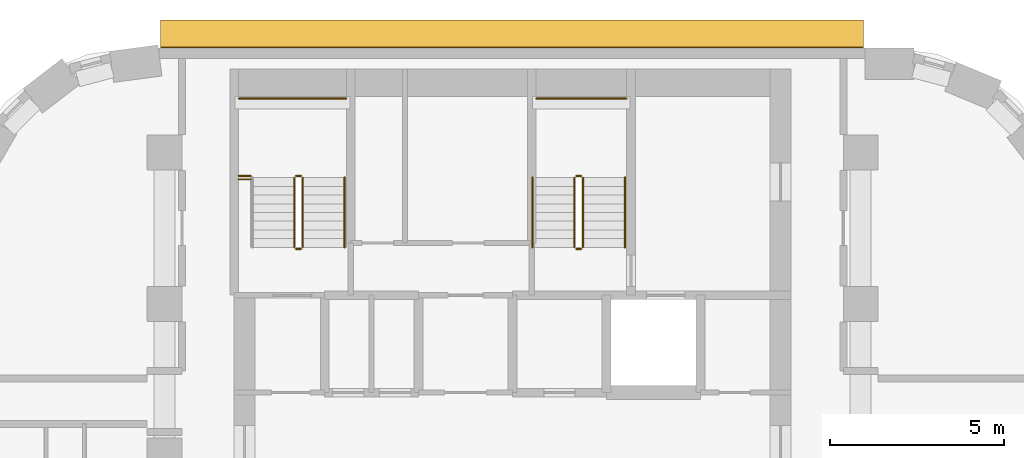
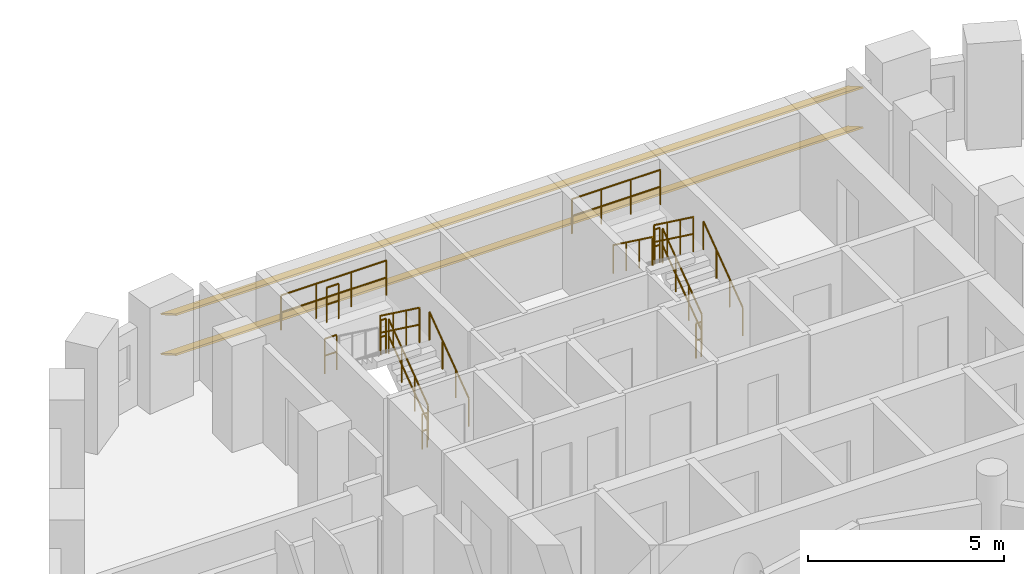
# One storey, part 14 of 14: 15 railings, 2 shading devices.
"""IFC4 building model written with IfcOpenShell, lengths in metres."""

from ifc_helpers import new_model, si_unit, direction, frame, origin, origin_2d, place, context, subcontext, project, spatial, rectangle, circle, extrude, material, material_profile, profile_set, type_object, element, save


model = new_model("IFC4")

# Units and contexts
model_context = context("Model", 3, precision=1e-05, world=origin(), true_north=direction((0.0, 1.0)))
body_context = subcontext(model_context, "Body", "Model", "MODEL_VIEW")
ifc_project = project(units=[si_unit("LENGTHUNIT", "METRE"), si_unit("AREAUNIT", "SQUARE_METRE"), si_unit("VOLUMEUNIT", "CUBIC_METRE"), si_unit("PLANEANGLEUNIT", "RADIAN"), si_unit("MASSUNIT", "GRAM", prefix="KILO")], contexts=[model_context])

# Site, building, storey
site_placement = place(None, origin())
site = spatial("IfcSite", under=ifc_project, at=site_placement, CompositionType="ELEMENT")
building_placement = place(site_placement, origin())
building = spatial("IfcBuilding", under=site, at=building_placement, Name="Nakaniwa Court", CompositionType="ELEMENT")
storey_placement = place(building_placement, frame((0.0, 0.0, 107.39990234375)))
storey = spatial("IfcBuildingStorey", under=building, at=storey_placement, Name="L28", CompositionType="ELEMENT", Elevation=107.39990234375)

# Shading devices
ifc_material_1 = material(Name="Perforated charcoal ceramic louvre blade")
ifc_material_profile = material_profile(ifc_material_1, rectangle(XDim=0.89990234375, YDim=0.050048828125, at=origin_2d()), Name="Perforated ceramic louvre blade")
ifc_profile_set = profile_set([ifc_material_profile], Name="Perforated charcoal ceramic louvre blade")
shading_device_type = type_object("IfcShadingDeviceType", Name="Perforated ceramic louvre blade", PredefinedType="JALOUSIE", material=ifc_profile_set)
for number, where, z_axis, x_axis, name in (
    (1, (90.07861328125, 104.402099609375, 0.550048828125), (-1.0, 0.0, 0.0), (0.0, -0.866025403784, 0.5), "L28 perforated ceramic louvre blade w08 1"),
    (2, (90.07861328125, 104.402099609375, 1.79345703125), (-1.0, 0.0, 0.0), (0.0, -0.866025403784, 0.5), "L28 perforated ceramic louvre blade w08 2"),
):
    element("IfcShadingDevice", number, at=place(storey_placement, frame(where, z_axis=z_axis, x_axis=x_axis)), inside=storey, type_object=shading_device_type, Name=name, PredefinedType="JALOUSIE", context=body_context, shape_type="SweptSolid", body=[
        extrude(rectangle(XDim=0.89990234375, YDim=0.050048828125, at=origin_2d()), origin(), (0.0, 0.0, 1.0), 20.19091796875),
    ])

# Railings
ifc_material_2 = material(Name="Black powder coated steel guard", Category="steel")
railing_type_1 = type_object("IfcRailingType", Name="Stair guard 1100", PredefinedType="GUARDRAIL", material=ifc_material_2)
railing_1_placement = place(storey_placement, frame((73.97509765625, 98.27490234375, 0.183349609375)))
element("IfcRailing", 3, at=railing_1_placement, inside=storey, type_object=railing_type_1, Name="L28 ST1 stair guard 1", PredefinedType="GUARDRAIL", context=body_context, shape_type="SweptSolid", body=[
    extrude(circle(Radius=0.02392578125, at=origin_2d()), frame((0.0, 0.0, 1.076171875), z_axis=(0.0, 0.806379959628, 0.591397802423), x_axis=(-1.0, 0.0, 0.0)), (0.0, 0.0, 1.0), 2.480224609375),
    extrude(circle(Radius=0.02392578125, at=origin_2d()), frame((0.0, 0.0, 0.550048828125), z_axis=(0.0, 0.806379959628, 0.591397802423), x_axis=(-1.0, 0.0, 0.0)), (0.0, 0.0, 1.0), 2.480224609375),
    extrude(circle(Radius=0.02099609375, at=origin_2d()), origin(), (0.0, 0.0, 1.0), 1.052001953125),
    extrude(circle(Radius=0.02099609375, at=origin_2d()), frame((0.0, 0.666748046875, 0.489013671875)), (0.0, 0.0, 1.0), 1.052001953125),
    extrude(circle(Radius=0.02099609375, at=origin_2d()), frame((0.0, 1.333251953125, 0.977783203125)), (0.0, 0.0, 1.0), 1.052001953125),
    extrude(circle(Radius=0.02099609375, at=origin_2d()), frame((0.0, 2.0, 1.466796875)), (0.0, 0.0, 1.0), 1.052001953125),
])
railing_2_placement = place(storey_placement, frame((73.925048828125, 100.324951171875, 1.650146484375)))
element("IfcRailing", 4, at=railing_2_placement, inside=storey, type_object=railing_type_1, Name="L28 ST1 stair guard 2", PredefinedType="GUARDRAIL", context=body_context, shape_type="SweptSolid", body=[
    extrude(circle(Radius=0.02392578125, at=origin_2d()), frame((0.0, 0.0, 1.076171875), z_axis=(-1.0, 0.0, 0.0), x_axis=(0.0, -1.0, 0.0)), (0.0, 0.0, 1.0), 0.150146484375),
    extrude(circle(Radius=0.02392578125, at=origin_2d()), frame((0.0, 0.0, 0.550048828125), z_axis=(-1.0, 0.0, 0.0), x_axis=(0.0, -1.0, 0.0)), (0.0, 0.0, 1.0), 0.150146484375),
    extrude(circle(Radius=0.02099609375, at=origin_2d()), origin(), (0.0, 0.0, 1.0), 1.052001953125),
    extrude(circle(Radius=0.02099609375, at=origin_2d()), frame((-0.150146484375, 0.0, 0.0)), (0.0, 0.0, 1.0), 1.052001953125),
])
railing_3_placement = place(storey_placement, frame((73.72509765625, 100.27490234375, 1.83349609375)))
element("IfcRailing", 5, at=railing_3_placement, inside=storey, type_object=railing_type_1, Name="L28 ST1 stair guard 3", PredefinedType="GUARDRAIL", context=body_context, shape_type="SweptSolid", body=[
    extrude(circle(Radius=0.02392578125, at=origin_2d()), frame((0.0, 0.0, 1.076171875), z_axis=(0.0, -0.806426902644, 0.591333789573), x_axis=(1.0, 0.0, 0.0)), (0.0, 0.0, 1.0), 2.47998046875),
    extrude(circle(Radius=0.02392578125, at=origin_2d()), frame((0.0, 0.0, 0.550048828125), z_axis=(0.0, -0.806426902644, 0.591333789573), x_axis=(1.0, 0.0, 0.0)), (0.0, 0.0, 1.0), 2.47998046875),
    extrude(circle(Radius=0.02099609375, at=origin_2d()), origin(), (0.0, 0.0, 1.0), 1.052001953125),
    extrude(circle(Radius=0.02099609375, at=origin_2d()), frame((0.0, -0.666748046875, 0.48876953125)), (0.0, 0.0, 1.0), 1.052001953125),
    extrude(circle(Radius=0.02099609375, at=origin_2d()), frame((0.0, -1.333251953125, 0.977783203125)), (0.0, 0.0, 1.0), 1.052001953125),
    extrude(circle(Radius=0.02099609375, at=origin_2d()), frame((0.0, -2.0, 1.466552734375)), (0.0, 0.0, 1.0), 1.052001953125),
])
railing_4_placement = place(storey_placement, frame((73.925048828125, 98.22509765625, 0.0)))
element("IfcRailing", 6, at=railing_4_placement, inside=storey, type_object=railing_type_1, Name="L28 ST1 stair guard 4", PredefinedType="GUARDRAIL", context=body_context, shape_type="SweptSolid", body=[
    extrude(circle(Radius=0.02392578125, at=origin_2d()), frame((0.0, 0.0, 1.076171875), z_axis=(-1.0, 0.0, 0.0), x_axis=(0.0, -1.0, 0.0)), (0.0, 0.0, 1.0), 0.150146484375),
    extrude(circle(Radius=0.02392578125, at=origin_2d()), frame((0.0, 0.0, 0.550048828125), z_axis=(-1.0, 0.0, 0.0), x_axis=(0.0, -1.0, 0.0)), (0.0, 0.0, 1.0), 0.150146484375),
    extrude(circle(Radius=0.02099609375, at=origin_2d()), origin(), (0.0, 0.0, 1.0), 1.052001953125),
    extrude(circle(Radius=0.02099609375, at=origin_2d()), frame((-0.150146484375, 0.0, 0.0)), (0.0, 0.0, 1.0), 1.052001953125),
])
railing_5_placement = place(storey_placement, frame((72.125, 102.550048828125, 1.650146484375)))
element("IfcRailing", 7, at=railing_5_placement, inside=storey, type_object=railing_type_1, Name="L28 ST1 landing end guard 1", PredefinedType="GUARDRAIL", context=body_context, shape_type="SweptSolid", body=[
    extrude(circle(Radius=0.02392578125, at=origin_2d()), frame((0.0, 0.0, 1.076171875), z_axis=(1.0, 0.0, 0.0), x_axis=(0.0, 1.0, 0.0)), (0.0, 0.0, 1.0), 3.10009765625),
    extrude(circle(Radius=0.02392578125, at=origin_2d()), frame((0.0, 0.0, 0.550048828125), z_axis=(1.0, 0.0, 0.0), x_axis=(0.0, 1.0, 0.0)), (0.0, 0.0, 1.0), 3.10009765625),
    extrude(circle(Radius=0.02099609375, at=origin_2d()), origin(), (0.0, 0.0, 1.0), 1.052001953125),
    extrude(circle(Radius=0.02099609375, at=origin_2d()), frame((1.033447265625, 0.0, 0.0)), (0.0, 0.0, 1.0), 1.052001953125),
    extrude(circle(Radius=0.02099609375, at=origin_2d()), frame((2.066650390625, 0.0, 0.0)), (0.0, 0.0, 1.0), 1.052001953125),
    extrude(circle(Radius=0.02099609375, at=origin_2d()), frame((3.10009765625, 0.0, 0.0)), (0.0, 0.0, 1.0), 1.052001953125),
])
for number, where, name in (
    (8, (72.125, 100.324951171875, 1.650146484375), "L28 ST1 landing side guard 1W"),
    (9, (72.125, 100.22509765625, 3.300048828125), "L28 ST1 floor edge guard 1W"),
):
    element("IfcRailing", number, at=place(storey_placement, frame(where)), inside=storey, type_object=railing_type_1, Name=name, PredefinedType="GUARDRAIL", context=body_context, shape_type="SweptSolid", body=[
        extrude(circle(Radius=0.02392578125, at=origin_2d()), frame((0.0, 0.0, 1.076171875), z_axis=(1.0, 0.0, 0.0), x_axis=(0.0, 1.0, 0.0)), (0.0, 0.0, 1.0), 0.35009765625),
        extrude(circle(Radius=0.02392578125, at=origin_2d()), frame((0.0, 0.0, 0.550048828125), z_axis=(1.0, 0.0, 0.0), x_axis=(0.0, 1.0, 0.0)), (0.0, 0.0, 1.0), 0.35009765625),
        extrude(circle(Radius=0.02099609375, at=origin_2d()), origin(), (0.0, 0.0, 1.0), 1.052001953125),
        extrude(circle(Radius=0.02099609375, at=origin_2d()), frame((0.35009765625, 0.0, 0.0)), (0.0, 0.0, 1.0), 1.052001953125),
    ])
railing_6_placement = place(storey_placement, frame((82.02490234375, 98.27490234375, 0.183349609375)))
element("IfcRailing", 10, at=railing_6_placement, inside=storey, type_object=railing_type_1, Name="L28 ST2 stair guard 1", PredefinedType="GUARDRAIL", context=body_context, shape_type="SweptSolid", body=[
    extrude(circle(Radius=0.02392578125, at=origin_2d()), frame((0.0, 0.0, 1.076171875), z_axis=(0.0, 0.806379959628, 0.591397802423), x_axis=(-1.0, 0.0, 0.0)), (0.0, 0.0, 1.0), 2.480224609375),
    extrude(circle(Radius=0.02392578125, at=origin_2d()), frame((0.0, 0.0, 0.550048828125), z_axis=(0.0, 0.806379959628, 0.591397802423), x_axis=(-1.0, 0.0, 0.0)), (0.0, 0.0, 1.0), 2.480224609375),
    extrude(circle(Radius=0.02099609375, at=origin_2d()), origin(), (0.0, 0.0, 1.0), 1.052001953125),
    extrude(circle(Radius=0.02099609375, at=origin_2d()), frame((0.0, 0.666748046875, 0.489013671875)), (0.0, 0.0, 1.0), 1.052001953125),
    extrude(circle(Radius=0.02099609375, at=origin_2d()), frame((0.0, 1.333251953125, 0.977783203125)), (0.0, 0.0, 1.0), 1.052001953125),
    extrude(circle(Radius=0.02099609375, at=origin_2d()), frame((0.0, 2.0, 1.466796875)), (0.0, 0.0, 1.0), 1.052001953125),
])
railing_7_placement = place(storey_placement, frame((81.97509765625, 100.324951171875, 1.650146484375)))
element("IfcRailing", 11, at=railing_7_placement, inside=storey, type_object=railing_type_1, Name="L28 ST2 stair guard 2", PredefinedType="GUARDRAIL", context=body_context, shape_type="SweptSolid", body=[
    extrude(circle(Radius=0.02392578125, at=origin_2d()), frame((0.0, 0.0, 1.076171875), z_axis=(-1.0, 0.0, 0.0), x_axis=(0.0, -1.0, 0.0)), (0.0, 0.0, 1.0), 0.150146484375),
    extrude(circle(Radius=0.02392578125, at=origin_2d()), frame((0.0, 0.0, 0.550048828125), z_axis=(-1.0, 0.0, 0.0), x_axis=(0.0, -1.0, 0.0)), (0.0, 0.0, 1.0), 0.150146484375),
    extrude(circle(Radius=0.02099609375, at=origin_2d()), origin(), (0.0, 0.0, 1.0), 1.052001953125),
    extrude(circle(Radius=0.02099609375, at=origin_2d()), frame((-0.150146484375, 0.0, 0.0)), (0.0, 0.0, 1.0), 1.052001953125),
])
railing_8_placement = place(storey_placement, frame((81.77490234375, 100.27490234375, 1.83349609375)))
element("IfcRailing", 12, at=railing_8_placement, inside=storey, type_object=railing_type_1, Name="L28 ST2 stair guard 3", PredefinedType="GUARDRAIL", context=body_context, shape_type="SweptSolid", body=[
    extrude(circle(Radius=0.02392578125, at=origin_2d()), frame((0.0, 0.0, 1.076171875), z_axis=(0.0, -0.806426902644, 0.591333789573), x_axis=(1.0, 0.0, 0.0)), (0.0, 0.0, 1.0), 2.47998046875),
    extrude(circle(Radius=0.02392578125, at=origin_2d()), frame((0.0, 0.0, 0.550048828125), z_axis=(0.0, -0.806426902644, 0.591333789573), x_axis=(1.0, 0.0, 0.0)), (0.0, 0.0, 1.0), 2.47998046875),
    extrude(circle(Radius=0.02099609375, at=origin_2d()), origin(), (0.0, 0.0, 1.0), 1.052001953125),
    extrude(circle(Radius=0.02099609375, at=origin_2d()), frame((0.0, -0.666748046875, 0.48876953125)), (0.0, 0.0, 1.0), 1.052001953125),
    extrude(circle(Radius=0.02099609375, at=origin_2d()), frame((0.0, -1.333251953125, 0.977783203125)), (0.0, 0.0, 1.0), 1.052001953125),
    extrude(circle(Radius=0.02099609375, at=origin_2d()), frame((0.0, -2.0, 1.466552734375)), (0.0, 0.0, 1.0), 1.052001953125),
])
railing_9_placement = place(storey_placement, frame((81.97509765625, 98.22509765625, 0.0)))
element("IfcRailing", 13, at=railing_9_placement, inside=storey, type_object=railing_type_1, Name="L28 ST2 stair guard 4", PredefinedType="GUARDRAIL", context=body_context, shape_type="SweptSolid", body=[
    extrude(circle(Radius=0.02392578125, at=origin_2d()), frame((0.0, 0.0, 1.076171875), z_axis=(-1.0, 0.0, 0.0), x_axis=(0.0, -1.0, 0.0)), (0.0, 0.0, 1.0), 0.150146484375),
    extrude(circle(Radius=0.02392578125, at=origin_2d()), frame((0.0, 0.0, 0.550048828125), z_axis=(-1.0, 0.0, 0.0), x_axis=(0.0, -1.0, 0.0)), (0.0, 0.0, 1.0), 0.150146484375),
    extrude(circle(Radius=0.02099609375, at=origin_2d()), origin(), (0.0, 0.0, 1.0), 1.052001953125),
    extrude(circle(Radius=0.02099609375, at=origin_2d()), frame((-0.150146484375, 0.0, 0.0)), (0.0, 0.0, 1.0), 1.052001953125),
])
railing_10_placement = place(storey_placement, frame((80.675048828125, 102.550048828125, 1.650146484375)))
element("IfcRailing", 14, at=railing_10_placement, inside=storey, type_object=railing_type_1, Name="L28 ST2 landing end guard 1", PredefinedType="GUARDRAIL", context=body_context, shape_type="SweptSolid", body=[
    extrude(circle(Radius=0.02392578125, at=origin_2d()), frame((0.0, 0.0, 1.076171875), z_axis=(1.0, 0.0, 0.0), x_axis=(0.0, 1.0, 0.0)), (0.0, 0.0, 1.0), 2.599853515625),
    extrude(circle(Radius=0.02392578125, at=origin_2d()), frame((0.0, 0.0, 0.550048828125), z_axis=(1.0, 0.0, 0.0), x_axis=(0.0, 1.0, 0.0)), (0.0, 0.0, 1.0), 2.599853515625),
    extrude(circle(Radius=0.02099609375, at=origin_2d()), origin(), (0.0, 0.0, 1.0), 1.052001953125),
    extrude(circle(Radius=0.02099609375, at=origin_2d()), frame((0.86669921875, 0.0, 0.0)), (0.0, 0.0, 1.0), 1.052001953125),
    extrude(circle(Radius=0.02099609375, at=origin_2d()), frame((1.733154296875, 0.0, 0.0)), (0.0, 0.0, 1.0), 1.052001953125),
    extrude(circle(Radius=0.02099609375, at=origin_2d()), frame((2.599853515625, 0.0, 0.0)), (0.0, 0.0, 1.0), 1.052001953125),
])
ifc_material_3 = material(Name="Black powder coated steel handrail", Category="steel")
railing_type_2 = type_object("IfcRailingType", Name="Stair handrail 900", PredefinedType="HANDRAIL", material=ifc_material_3)
for number, where, name in (
    (15, (75.175048828125, 98.27490234375, 0.183349609375), "L28 ST1 stair handrail 1"),
    (16, (83.22509765625, 98.27490234375, 0.183349609375), "L28 ST2 stair handrail 1"),
):
    element("IfcRailing", number, at=place(storey_placement, frame(where)), inside=storey, type_object=railing_type_2, Name=name, PredefinedType="HANDRAIL", context=body_context, shape_type="SweptSolid", body=[
        extrude(circle(Radius=0.02392578125, at=origin_2d()), frame((0.0, 0.0, 0.8759765625), z_axis=(0.0, 0.806379959628, 0.591397802423), x_axis=(-1.0, 0.0, 0.0)), (0.0, 0.0, 1.0), 2.480224609375),
        extrude(circle(Radius=0.02099609375, at=origin_2d()), origin(), (0.0, 0.0, 1.0), 0.851806640625),
        extrude(circle(Radius=0.02099609375, at=origin_2d()), frame((0.0, 0.666748046875, 0.489013671875)), (0.0, 0.0, 1.0), 0.851806640625),
        extrude(circle(Radius=0.02099609375, at=origin_2d()), frame((0.0, 1.333251953125, 0.977783203125)), (0.0, 0.0, 1.0), 0.851806640625),
        extrude(circle(Radius=0.02099609375, at=origin_2d()), frame((0.0, 2.0, 1.466796875)), (0.0, 0.0, 1.0), 0.851806640625),
    ])
railing_11_placement = place(storey_placement, frame((80.574951171875, 100.27490234375, 1.83349609375)))
element("IfcRailing", 17, at=railing_11_placement, inside=storey, type_object=railing_type_2, Name="L28 ST2 stair handrail 2", PredefinedType="HANDRAIL", context=body_context, shape_type="SweptSolid", body=[
    extrude(circle(Radius=0.02392578125, at=origin_2d()), frame((0.0, 0.0, 0.8759765625), z_axis=(0.0, -0.806426902644, 0.591333789573), x_axis=(1.0, 0.0, 0.0)), (0.0, 0.0, 1.0), 2.47998046875),
    extrude(circle(Radius=0.02099609375, at=origin_2d()), origin(), (0.0, 0.0, 1.0), 0.851806640625),
    extrude(circle(Radius=0.02099609375, at=origin_2d()), frame((0.0, -0.666748046875, 0.48876953125)), (0.0, 0.0, 1.0), 0.851806640625),
    extrude(circle(Radius=0.02099609375, at=origin_2d()), frame((0.0, -1.333251953125, 0.977783203125)), (0.0, 0.0, 1.0), 0.851806640625),
    extrude(circle(Radius=0.02099609375, at=origin_2d()), frame((0.0, -2.0, 1.466552734375)), (0.0, 0.0, 1.0), 0.851806640625),
])

save(model, "model.ifc")
